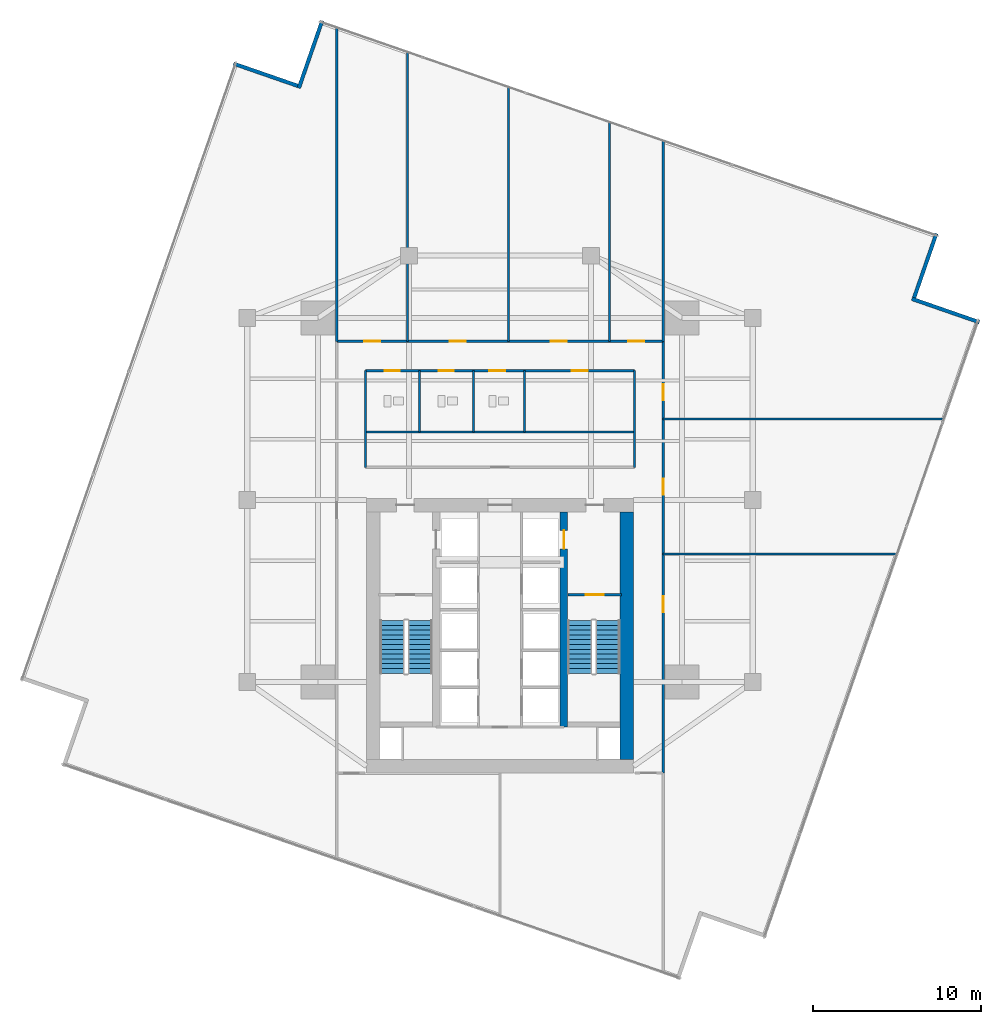
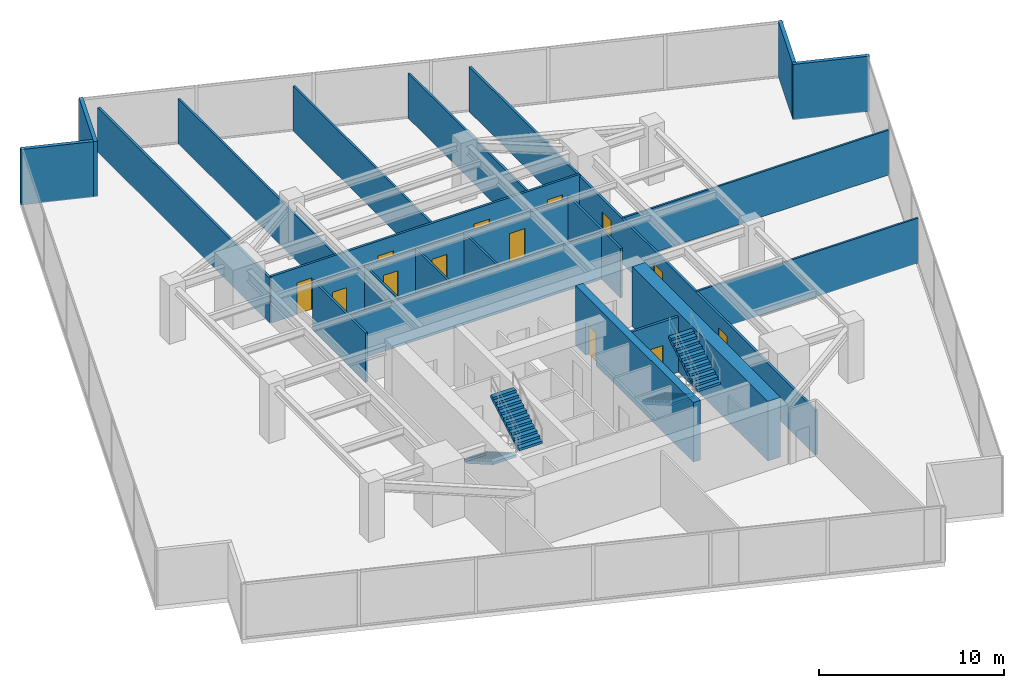
# One storey, part 24 of 28: 23 walls, 13 doors, 4 stair flights, 13 openings, 2 elements without a shape of their own.
"""IFC4 building model written with IfcOpenShell, lengths in metres."""

from ifc_helpers import new_model, si_unit, direction, frame, frame_2d, origin, place, context, subcontext, project, spatial, polyline, rectangle, outline, extrude, material, layer, layer_set, type_object, element, fill, aggregate, save


model = new_model("IFC4")

# Units and contexts
model_context = context("Model", 3, precision=1e-05, world=origin(), true_north=direction((0.0, 1.0)))
body_context = subcontext(model_context, "Body", "Model", "MODEL_VIEW")
ifc_project = project(units=[si_unit("LENGTHUNIT", "METRE"), si_unit("AREAUNIT", "SQUARE_METRE"), si_unit("VOLUMEUNIT", "CUBIC_METRE"), si_unit("PLANEANGLEUNIT", "RADIAN"), si_unit("MASSUNIT", "GRAM", prefix="KILO")], contexts=[model_context])

# Site, building, storey
site_placement = place(None, origin())
site = spatial("IfcSite", under=ifc_project, at=site_placement, CompositionType="ELEMENT")
building_placement = place(site_placement, origin())
building = spatial("IfcBuilding", under=site, at=building_placement, Name="Krantzveldt Concourse Tower", CompositionType="ELEMENT")
storey_placement = place(building_placement, frame((0.0, 0.0, 117.699951171875)))
storey = spatial("IfcBuildingStorey", under=building, at=storey_placement, Name="L28", CompositionType="ELEMENT", Elevation=117.699951171875)

# Walls
ifc_material_1 = material(Name="Anodised aluminium 6063-T6", Category="aluminium")
ifc_layer_1 = layer(ifc_material_1, 0.219970703125, Name="Anodised aluminium 6063-T6", Category="aluminium")
ifc_layer_set_1 = layer_set([ifc_layer_1], Name="Anodised aluminium 6063-T6 (WL-EXT-NOTCH220)")
wall_type_1 = type_object("IfcWallType", Name="WL-EXT-NOTCH220", PredefinedType="ELEMENTEDWALL", material=ifc_layer_set_1)
wall_1_placement = place(storey_placement, frame((23.99072265625, 51.28125, 0.0), z_axis=(0.0, 0.0, 1.0), x_axis=(-0.944792639593, 0.327668839181, 0.0)))
element("IfcWall", 1, at=wall_1_placement, inside=storey, type_object=wall_type_1, Name="EW-L28-NCH00", PredefinedType="ELEMENTEDWALL", context=body_context, shape_type="SweptSolid", body=[
    extrude(rectangle(XDim=4.02490234375, YDim=0.219970703125, at=frame_2d((2.012451171875, 0.0))), origin(), (0.0, 0.0, 1.0), 3.670166015625),
])
wall_2_placement = place(storey_placement, frame((64.4521484375, 37.25048828125, 0.0), z_axis=(0.0, 0.0, 1.0), x_axis=(-0.944801308279, 0.327643843028, 0.0)))
element("IfcWall", 2, at=wall_2_placement, inside=storey, type_object=wall_type_1, Name="EW-L28-NCH08", PredefinedType="ELEMENTEDWALL", context=body_context, shape_type="SweptSolid", body=[
    extrude(rectangle(XDim=4.2451171875, YDim=0.219970703125, at=frame_2d((2.12255859375, 0.0))), origin(), (0.0, 0.0, 1.0), 3.670166015625),
])
wall_3_placement = place(storey_placement, frame((60.581298828125, 38.709228515625, 0.0), z_axis=(0.0, 0.0, 1.0), x_axis=(0.327650062068, 0.94479915158, 0.0)))
element("IfcWall", 3, at=wall_3_placement, inside=storey, type_object=wall_type_1, Name="EW-L28-NCH09", PredefinedType="ELEMENTEDWALL", context=body_context, shape_type="SweptSolid", body=[
    extrude(rectangle(XDim=4.025146484375, YDim=0.219970703125, at=frame_2d((2.0126953125, 0.0))), origin(), (0.0, 0.0, 1.0), 3.670166015625),
])
wall_4_placement = place(storey_placement, frame((25.449462890625, 55.152099609375, 0.0), z_axis=(0.0, 0.0, 1.0), x_axis=(-0.327643843028, -0.944801308279, 0.0)))
element("IfcWall", 4, at=wall_4_placement, inside=storey, type_object=wall_type_1, Name="EW-L28-NCH11", PredefinedType="ELEMENTEDWALL", context=body_context, shape_type="SweptSolid", body=[
    extrude(rectangle(XDim=4.2451171875, YDim=0.219970703125, at=frame_2d((2.12255859375, 0.0))), origin(), (0.0, 0.0, 1.0), 3.670166015625),
])
ifc_material_2 = material(Name="Fire-rated gypsum plasterboard on steel stud", Category="steel")
ifc_layer_2 = layer(ifc_material_2, 0.1201171875, Name="Fire-rated gypsum plasterboard on steel stud", Category="steel")
ifc_layer_set_2 = layer_set([ifc_layer_2], Name="Fire-rated gypsum plasterboard on steel stud (WL-PART-120)")
wall_type_2 = type_object("IfcWallType", Name="WL-PART-120", PredefinedType="PARTITIONING", material=ifc_layer_set_2)
wall_5_placement = place(storey_placement, frame((28.02001953125, 30.739990234375, 0.0), z_axis=(0.0, 0.0, 1.0), x_axis=(1.0, 0.0, 0.0)))
element("IfcWall", 5, at=wall_5_placement, inside=storey, type_object=wall_type_2, Name="WP-L28-ISLM", PredefinedType="PARTITIONING", context=body_context, shape_type="SweptSolid", body=[
    extrude(rectangle(XDim=15.9599609375, YDim=0.1201171875, at=frame_2d((7.97998046875, 0.0))), origin(), (0.0, 0.0, 1.0), 3.080078125),
])
for number, where, z_axis, x_axis, name in (
    (6, (31.219970703125, 30.739990234375, 0.0), (0.0, 0.0, 1.0), (0.0, 1.0, 0.0), "WP-L28-WCD1"),
    (7, (34.419921875, 30.739990234375, 0.0), (0.0, 0.0, 1.0), (0.0, 1.0, 0.0), "WP-L28-WCD2"),
    (8, (37.449951171875, 30.739990234375, 0.0), (0.0, 0.0, 1.0), (0.0, 1.0, 0.0), "WP-L28-WCD3"),
):
    element("IfcWall", number, at=place(storey_placement, frame(where, z_axis=z_axis, x_axis=x_axis)), inside=storey, type_object=wall_type_2, Name=name, PredefinedType="PARTITIONING", context=body_context, shape_type="SweptSolid", body=[
        extrude(rectangle(XDim=3.639892578125, YDim=0.1201171875, at=frame_2d((1.81982421875, 0.0))), origin(), (0.0, 0.0, 1.0), 3.170166015625),
    ])
wall_6_placement = place(storey_placement, frame((30.5, 36.1201171875, 0.0), z_axis=(0.0, 0.0, 1.0), x_axis=(0.0, 1.0, 0.0)))
element("IfcWall", 9, at=wall_6_placement, inside=storey, type_object=wall_type_2, Name="WP-L28-ND1", PredefinedType="PARTITIONING", context=body_context, shape_type="SweptSolid", body=[
    extrude(rectangle(XDim=17.158935546875, YDim=0.1201171875, at=frame_2d((8.57958984375, 0.0))), origin(), (0.0, 0.0, 1.0), 2.969970703125),
])
wall_7_placement = place(storey_placement, frame((36.5, 36.1201171875, 0.0), z_axis=(0.0, 0.0, 1.0), x_axis=(0.0, 1.0, 0.0)))
element("IfcWall", 10, at=wall_7_placement, inside=storey, type_object=wall_type_2, Name="WP-L28-ND2", PredefinedType="PARTITIONING", context=body_context, shape_type="SweptSolid", body=[
    extrude(rectangle(XDim=15.078125, YDim=0.1201171875, at=frame_2d((7.5390625, 0.0))), origin(), (0.0, 0.0, 1.0), 2.969970703125),
])
wall_8_placement = place(storey_placement, frame((42.5, 36.1201171875, 0.0), z_axis=(0.0, 0.0, 1.0), x_axis=(0.0, 1.0, 0.0)))
element("IfcWall", 11, at=wall_8_placement, inside=storey, type_object=wall_type_2, Name="WP-L28-ND3", PredefinedType="PARTITIONING", context=body_context, shape_type="SweptSolid", body=[
    extrude(rectangle(XDim=12.99755859375, YDim=0.1201171875, at=frame_2d((6.498779296875, 0.0))), origin(), (0.0, 0.0, 1.0), 2.969970703125),
])
wall_9_placement = place(storey_placement, frame((45.679931640625, 23.5, 0.0), z_axis=(0.0, 0.0, 1.0), x_axis=(1.0, 0.0, 0.0)))
element("IfcWall", 12, at=wall_9_placement, inside=storey, type_object=wall_type_2, Name="WP-L28-ED1", PredefinedType="PARTITIONING", context=body_context, shape_type="SweptSolid", body=[
    extrude(rectangle(XDim=13.882080078125, YDim=0.1201171875, at=frame_2d((6.94091796875, 0.0))), origin(), (0.0, 0.0, 1.0), 2.969970703125),
])
wall_10_placement = place(storey_placement, frame((45.679931640625, 31.5, 0.0), z_axis=(0.0, 0.0, 1.0), x_axis=(1.0, 0.0, 0.0)))
element("IfcWall", 13, at=wall_10_placement, inside=storey, type_object=wall_type_2, Name="WP-L28-ED2", PredefinedType="PARTITIONING", context=body_context, shape_type="SweptSolid", body=[
    extrude(rectangle(XDim=16.65625, YDim=0.1201171875, at=frame_2d((8.328125, 0.0))), origin(), (0.0, 0.0, 1.0), 2.969970703125),
])

# Wall, openings, doors
ifc_layer_3 = layer(ifc_material_2, 0.139892578125, Name="Fire-rated gypsum plasterboard on steel stud", Category="steel")
ifc_layer_set_3 = layer_set([ifc_layer_3], Name="Fire-rated gypsum plasterboard on steel stud (WL-PART-140)")
wall_type_3 = type_object("IfcWallType", Name="WL-PART-140", PredefinedType="PARTITIONING", material=ifc_layer_set_3)
wall_11_placement = place(storey_placement, frame((28.02001953125, 34.3798828125, 0.0), z_axis=(0.0, 0.0, 1.0), x_axis=(1.0, 0.0, 0.0)))
wall_11 = element("IfcWall", 14, at=wall_11_placement, inside=storey, type_object=wall_type_3, Name="WP-L28-ISLN", PredefinedType="PARTITIONING", context=body_context, shape_type="SweptSolid", body=[
    extrude(rectangle(XDim=15.9599609375, YDim=0.139892578125, at=frame_2d((7.97998046875, 0.0))), origin(), (0.0, 0.0, 1.0), 3.080078125),
])
opening_1_placement = place(wall_11_placement, frame((1.1298828125, 0.0, 0.0)))
opening_1 = element("IfcOpeningElement", 15, at=opening_1_placement, cuts=wall_11, Name="Opening D-IN090", PredefinedType="OPENING", context=body_context, shape_type="SweptSolid", body=[
    extrude(rectangle(XDim=0.89990234375, YDim=2.10009765625, at=frame_2d((0.449951171875, 1.050048828125))), frame((0.0, 0.080078125, 0.0), z_axis=(0.0, -1.0, 0.0), x_axis=(1.0, 0.0, 0.0)), (0.0, 0.0, 1.0), 0.159912109375),
])
opening_2_placement = place(wall_11_placement, frame((4.330078125, 0.0, 0.0)))
opening_2 = element("IfcOpeningElement", 16, at=opening_2_placement, cuts=wall_11, Name="Opening D-IN090", PredefinedType="OPENING", context=body_context, shape_type="SweptSolid", body=[
    extrude(rectangle(XDim=0.89990234375, YDim=2.10009765625, at=frame_2d((0.449951171875, 1.050048828125))), frame((0.0, 0.080078125, 0.0), z_axis=(0.0, -1.0, 0.0), x_axis=(1.0, 0.0, 0.0)), (0.0, 0.0, 1.0), 0.159912109375),
])
opening_3_placement = place(wall_11_placement, frame((7.35498046875, 0.0, 0.0)))
opening_3 = element("IfcOpeningElement", 17, at=opening_3_placement, cuts=wall_11, Name="Opening D-IN095", PredefinedType="OPENING", context=body_context, shape_type="SweptSolid", body=[
    extrude(rectangle(XDim=0.949951171875, YDim=2.10009765625, at=frame_2d((0.47509765625, 1.050048828125))), frame((0.0, 0.080078125, 0.0), z_axis=(0.0, -1.0, 0.0), x_axis=(1.0, 0.0, 0.0)), (0.0, 0.0, 1.0), 0.159912109375),
])
opening_4_placement = place(wall_11_placement, frame((12.22998046875, 0.0, 0.0)))
opening_4 = element("IfcOpeningElement", 18, at=opening_4_placement, cuts=wall_11, Name="Opening D-IN095", PredefinedType="OPENING", context=body_context, shape_type="SweptSolid", body=[
    extrude(rectangle(XDim=0.949951171875, YDim=2.10009765625, at=frame_2d((0.47509765625, 1.050048828125))), frame((0.0, 0.080078125, 0.0), z_axis=(0.0, -1.0, 0.0), x_axis=(1.0, 0.0, 0.0)), (0.0, 0.0, 1.0), 0.159912109375),
])
ifc_material_3 = material(Name="Hardwood timber", Category="wood")
door_type_1 = type_object("IfcDoorType", Name="DR-INT-900", OperationType="SINGLE_SWING_LEFT", PredefinedType="DOOR", material=ifc_material_3)
door_1_placement = place(opening_1_placement, origin())
door_1 = element("IfcDoor", 19, at=door_1_placement, inside=storey, type_object=door_type_1, Name="DR-L28-WCM", OperationType="SINGLE_SWING_LEFT", OverallHeight=2.10009765625, OverallWidth=0.89990234375, PredefinedType="DOOR", context=body_context, shape_type="SweptSolid", body=[
    extrude(rectangle(XDim=0.89990234375, YDim=2.10009765625, at=frame_2d((0.449951171875, 1.050048828125))), frame((0.0, 0.02490234375, 0.0), z_axis=(0.0, -1.0, 0.0), x_axis=(1.0, 0.0, 0.0)), (0.0, 0.0, 1.0), 0.050048828125),
])
fill(opening_1, door_1)
door_2_placement = place(opening_2_placement, origin())
door_2 = element("IfcDoor", 20, at=door_2_placement, inside=storey, type_object=door_type_1, Name="DR-L28-WCF", OperationType="SINGLE_SWING_RIGHT", OverallHeight=2.10009765625, OverallWidth=0.89990234375, PredefinedType="DOOR", context=body_context, shape_type="SweptSolid", body=[
    extrude(rectangle(XDim=0.89990234375, YDim=2.10009765625, at=frame_2d((0.449951171875, 1.050048828125))), frame((0.0, 0.02490234375, 0.0), z_axis=(0.0, -1.0, 0.0), x_axis=(1.0, 0.0, 0.0)), (0.0, 0.0, 1.0), 0.050048828125),
])
fill(opening_2, door_2)
door_type_2 = type_object("IfcDoorType", Name="DR-INT-950", OperationType="SINGLE_SWING_LEFT", PredefinedType="DOOR", material=ifc_material_3)
door_3_placement = place(opening_3_placement, origin())
door_3 = element("IfcDoor", 21, at=door_3_placement, inside=storey, type_object=door_type_2, Name="DR-L28-WCA", OperationType="SINGLE_SWING_LEFT", OverallHeight=2.10009765625, OverallWidth=0.949951171875, PredefinedType="DOOR", context=body_context, shape_type="SweptSolid", body=[
    extrude(rectangle(XDim=0.949951171875, YDim=2.10009765625, at=frame_2d((0.47509765625, 1.050048828125))), frame((0.0, 0.02490234375, 0.0), z_axis=(0.0, -1.0, 0.0), x_axis=(1.0, 0.0, 0.0)), (0.0, 0.0, 1.0), 0.050048828125),
])
fill(opening_3, door_3)
door_4_placement = place(opening_4_placement, origin())
door_4 = element("IfcDoor", 22, at=door_4_placement, inside=storey, type_object=door_type_2, Name="DR-L28-PNT", OperationType="SINGLE_SWING_RIGHT", OverallHeight=2.10009765625, OverallWidth=0.949951171875, PredefinedType="DOOR", context=body_context, shape_type="SweptSolid", body=[
    extrude(rectangle(XDim=0.949951171875, YDim=2.10009765625, at=frame_2d((0.47509765625, 1.050048828125))), frame((0.0, 0.02490234375, 0.0), z_axis=(0.0, -1.0, 0.0), x_axis=(1.0, 0.0, 0.0)), (0.0, 0.0, 1.0), 0.050048828125),
])
fill(opening_4, door_4)

# Walls
for number, where, z_axis, x_axis, name in (
    (23, (28.02001953125, 28.639892578125, 0.0), (0.0, 0.0, 1.0), (0.0, 1.0, 0.0), "WP-L28-ISLW"),
    (24, (43.97998046875, 28.639892578125, 0.0), (0.0, 0.0, 1.0), (0.0, 1.0, 0.0), "WP-L28-ISLE"),
):
    element("IfcWall", number, at=place(storey_placement, frame(where, z_axis=z_axis, x_axis=x_axis)), inside=storey, type_object=wall_type_3, Name=name, PredefinedType="PARTITIONING", context=body_context, shape_type="SweptSolid", body=[
        extrude(rectangle(XDim=5.739990234375, YDim=0.139892578125, at=frame_2d((2.8701171875, 0.0))), origin(), (0.0, 0.0, 1.0), 3.27001953125),
    ])

# Wall, openings, doors
wall_12_placement = place(storey_placement, frame((26.320068359375, 36.1201171875, 0.0), z_axis=(0.0, 0.0, 1.0), x_axis=(1.0, 0.0, 0.0)))
wall_12 = element("IfcWall", 25, at=wall_12_placement, inside=storey, type_object=wall_type_3, Name="WP-L28-CTOP", PredefinedType="PARTITIONING", context=body_context, shape_type="SweptSolid", body=[
    extrude(rectangle(XDim=19.35986328125, YDim=0.139892578125, at=frame_2d((9.679931640625, 0.0))), origin(), (0.0, 0.0, 1.0), 3.080078125),
])
opening_5_placement = place(wall_12_placement, frame((1.614990234375, 0.0, 0.0)))
opening_5 = element("IfcOpeningElement", 26, at=opening_5_placement, cuts=wall_12, Name="Opening D-IN095", PredefinedType="OPENING", context=body_context, shape_type="SweptSolid", body=[
    extrude(rectangle(XDim=0.949951171875, YDim=2.10009765625, at=frame_2d((0.47509765625, 1.050048828125))), frame((0.0, 0.080078125, 0.0), z_axis=(0.0, -1.0, 0.0), x_axis=(1.0, 0.0, 0.0)), (0.0, 0.0, 1.0), 0.159912109375),
])
opening_6_placement = place(wall_12_placement, frame((6.705078125, 0.0, 0.0)))
opening_6 = element("IfcOpeningElement", 27, at=opening_6_placement, cuts=wall_12, Name="Opening D-IN095", PredefinedType="OPENING", context=body_context, shape_type="SweptSolid", body=[
    extrude(rectangle(XDim=0.949951171875, YDim=2.10009765625, at=frame_2d((0.47509765625, 1.050048828125))), frame((0.0, 0.080078125, 0.0), z_axis=(0.0, -1.0, 0.0), x_axis=(1.0, 0.0, 0.0)), (0.0, 0.0, 1.0), 0.159912109375),
])
opening_7_placement = place(wall_12_placement, frame((12.705078125, 0.0, 0.0)))
opening_7 = element("IfcOpeningElement", 28, at=opening_7_placement, cuts=wall_12, Name="Opening D-IN095", PredefinedType="OPENING", context=body_context, shape_type="SweptSolid", body=[
    extrude(rectangle(XDim=0.949951171875, YDim=2.10009765625, at=frame_2d((0.47509765625, 1.050048828125))), frame((0.0, 0.080078125, 0.0), z_axis=(0.0, -1.0, 0.0), x_axis=(1.0, 0.0, 0.0)), (0.0, 0.0, 1.0), 0.159912109375),
])
opening_8_placement = place(wall_12_placement, frame((17.294921875, 0.0, 0.0)))
opening_8 = element("IfcOpeningElement", 29, at=opening_8_placement, cuts=wall_12, Name="Opening D-IN095", PredefinedType="OPENING", context=body_context, shape_type="SweptSolid", body=[
    extrude(rectangle(XDim=0.949951171875, YDim=2.10009765625, at=frame_2d((0.47509765625, 1.050048828125))), frame((0.0, 0.080078125, 0.0), z_axis=(0.0, -1.0, 0.0), x_axis=(1.0, 0.0, 0.0)), (0.0, 0.0, 1.0), 0.159912109375),
])
door_5_placement = place(opening_5_placement, origin())
door_5 = element("IfcDoor", 30, at=door_5_placement, inside=storey, type_object=door_type_2, Name="DR-L28-NR1", OperationType="SINGLE_SWING_LEFT", OverallHeight=2.10009765625, OverallWidth=0.949951171875, PredefinedType="DOOR", context=body_context, shape_type="SweptSolid", body=[
    extrude(rectangle(XDim=0.949951171875, YDim=2.10009765625, at=frame_2d((0.47509765625, 1.050048828125))), frame((0.0, 0.02490234375, 0.0), z_axis=(0.0, -1.0, 0.0), x_axis=(1.0, 0.0, 0.0)), (0.0, 0.0, 1.0), 0.050048828125),
])
fill(opening_5, door_5)
door_6_placement = place(opening_6_placement, origin())
door_6 = element("IfcDoor", 31, at=door_6_placement, inside=storey, type_object=door_type_2, Name="DR-L28-NR2", OperationType="SINGLE_SWING_LEFT", OverallHeight=2.10009765625, OverallWidth=0.949951171875, PredefinedType="DOOR", context=body_context, shape_type="SweptSolid", body=[
    extrude(rectangle(XDim=0.949951171875, YDim=2.10009765625, at=frame_2d((0.47509765625, 1.050048828125))), frame((0.0, 0.02490234375, 0.0), z_axis=(0.0, -1.0, 0.0), x_axis=(1.0, 0.0, 0.0)), (0.0, 0.0, 1.0), 0.050048828125),
])
fill(opening_6, door_6)
door_7_placement = place(opening_7_placement, origin())
door_7 = element("IfcDoor", 32, at=door_7_placement, inside=storey, type_object=door_type_2, Name="DR-L28-NR3", OperationType="SINGLE_SWING_LEFT", OverallHeight=2.10009765625, OverallWidth=0.949951171875, PredefinedType="DOOR", context=body_context, shape_type="SweptSolid", body=[
    extrude(rectangle(XDim=0.949951171875, YDim=2.10009765625, at=frame_2d((0.47509765625, 1.050048828125))), frame((0.0, 0.02490234375, 0.0), z_axis=(0.0, -1.0, 0.0), x_axis=(1.0, 0.0, 0.0)), (0.0, 0.0, 1.0), 0.050048828125),
])
fill(opening_7, door_7)
door_8_placement = place(opening_8_placement, origin())
door_8 = element("IfcDoor", 33, at=door_8_placement, inside=storey, type_object=door_type_2, Name="DR-L28-NR4", OperationType="SINGLE_SWING_LEFT", OverallHeight=2.10009765625, OverallWidth=0.949951171875, PredefinedType="DOOR", context=body_context, shape_type="SweptSolid", body=[
    extrude(rectangle(XDim=0.949951171875, YDim=2.10009765625, at=frame_2d((0.47509765625, 1.050048828125))), frame((0.0, 0.02490234375, 0.0), z_axis=(0.0, -1.0, 0.0), x_axis=(1.0, 0.0, 0.0)), (0.0, 0.0, 1.0), 0.050048828125),
])
fill(opening_8, door_8)

wall_13_placement = place(storey_placement, frame((45.679931640625, 10.5, 0.0), z_axis=(0.0, 0.0, 1.0), x_axis=(0.0, 1.0, 0.0)))
wall_13 = element("IfcWall", 34, at=wall_13_placement, inside=storey, type_object=wall_type_3, Name="WP-L28-CEAST", PredefinedType="PARTITIONING", context=body_context, shape_type="SweptSolid", body=[
    extrude(rectangle(XDim=25.6201171875, YDim=0.139892578125, at=frame_2d((12.81005859375, 0.0))), origin(), (0.0, 0.0, 1.0), 2.969970703125),
])
opening_9_placement = place(wall_13_placement, frame((9.52490234375, 0.0, 0.0)))
opening_9 = element("IfcOpeningElement", 35, at=opening_9_placement, cuts=wall_13, Name="Opening D-IN095", PredefinedType="OPENING", context=body_context, shape_type="SweptSolid", body=[
    extrude(rectangle(XDim=0.949951171875, YDim=2.10009765625, at=frame_2d((0.47509765625, 1.050048828125))), frame((0.0, 0.080078125, 0.0), z_axis=(0.0, -1.0, 0.0), x_axis=(1.0, 0.0, 0.0)), (0.0, 0.0, 1.0), 0.159912109375),
])
opening_10_placement = place(wall_13_placement, frame((16.52490234375, 0.0, 0.0)))
opening_10 = element("IfcOpeningElement", 36, at=opening_10_placement, cuts=wall_13, Name="Opening D-IN095", PredefinedType="OPENING", context=body_context, shape_type="SweptSolid", body=[
    extrude(rectangle(XDim=0.949951171875, YDim=2.10009765625, at=frame_2d((0.47509765625, 1.050048828125))), frame((0.0, 0.080078125, 0.0), z_axis=(0.0, -1.0, 0.0), x_axis=(1.0, 0.0, 0.0)), (0.0, 0.0, 1.0), 0.159912109375),
])
opening_11_placement = place(wall_13_placement, frame((22.125, 0.0, 0.0)))
opening_11 = element("IfcOpeningElement", 37, at=opening_11_placement, cuts=wall_13, Name="Opening D-IN095", PredefinedType="OPENING", context=body_context, shape_type="SweptSolid", body=[
    extrude(rectangle(XDim=0.949951171875, YDim=2.10009765625, at=frame_2d((0.47509765625, 1.050048828125))), frame((0.0, 0.080078125, 0.0), z_axis=(0.0, -1.0, 0.0), x_axis=(1.0, 0.0, 0.0)), (0.0, 0.0, 1.0), 0.159912109375),
])
door_9_placement = place(opening_9_placement, origin())
door_9 = element("IfcDoor", 38, at=door_9_placement, inside=storey, type_object=door_type_2, Name="DR-L28-ER1", OperationType="SINGLE_SWING_LEFT", OverallHeight=2.10009765625, OverallWidth=0.949951171875, PredefinedType="DOOR", context=body_context, shape_type="SweptSolid", body=[
    extrude(rectangle(XDim=0.949951171875, YDim=2.10009765625, at=frame_2d((0.47509765625, 1.050048828125))), frame((0.0, 0.02490234375, 0.0), z_axis=(0.0, -1.0, 0.0), x_axis=(1.0, 0.0, 0.0)), (0.0, 0.0, 1.0), 0.050048828125),
])
fill(opening_9, door_9)
door_10_placement = place(opening_10_placement, origin())
door_10 = element("IfcDoor", 39, at=door_10_placement, inside=storey, type_object=door_type_2, Name="DR-L28-ER2", OperationType="SINGLE_SWING_LEFT", OverallHeight=2.10009765625, OverallWidth=0.949951171875, PredefinedType="DOOR", context=body_context, shape_type="SweptSolid", body=[
    extrude(rectangle(XDim=0.949951171875, YDim=2.10009765625, at=frame_2d((0.47509765625, 1.050048828125))), frame((0.0, 0.02490234375, 0.0), z_axis=(0.0, -1.0, 0.0), x_axis=(1.0, 0.0, 0.0)), (0.0, 0.0, 1.0), 0.050048828125),
])
fill(opening_10, door_10)
door_11_placement = place(opening_11_placement, origin())
door_11 = element("IfcDoor", 40, at=door_11_placement, inside=storey, type_object=door_type_2, Name="DR-L28-ER3", OperationType="SINGLE_SWING_LEFT", OverallHeight=2.10009765625, OverallWidth=0.949951171875, PredefinedType="DOOR", context=body_context, shape_type="SweptSolid", body=[
    extrude(rectangle(XDim=0.949951171875, YDim=2.10009765625, at=frame_2d((0.47509765625, 1.050048828125))), frame((0.0, 0.02490234375, 0.0), z_axis=(0.0, -1.0, 0.0), x_axis=(1.0, 0.0, 0.0)), (0.0, 0.0, 1.0), 0.050048828125),
])
fill(opening_11, door_11)

# Walls
wall_14_placement = place(storey_placement, frame((26.320068359375, 36.1201171875, 0.0), z_axis=(0.0, 0.0, 1.0), x_axis=(0.0, 1.0, 0.0)))
element("IfcWall", 41, at=wall_14_placement, inside=storey, type_object=wall_type_3, Name="WP-L28-NWL", PredefinedType="PARTITIONING", context=body_context, shape_type="SweptSolid", body=[
    extrude(rectangle(XDim=18.6083984375, YDim=0.139892578125, at=frame_2d((9.30419921875, 0.0))), origin(), (0.0, 0.0, 1.0), 2.969970703125),
])
wall_15_placement = place(storey_placement, frame((45.679931640625, 36.1201171875, 0.0), z_axis=(0.0, 0.0, 1.0), x_axis=(0.0, 1.0, 0.0)))
element("IfcWall", 42, at=wall_15_placement, inside=storey, type_object=wall_type_3, Name="WP-L28-NER", PredefinedType="PARTITIONING", context=body_context, shape_type="SweptSolid", body=[
    extrude(rectangle(XDim=11.894775390625, YDim=0.139892578125, at=frame_2d((5.947265625, 0.0))), origin(), (0.0, 0.0, 1.0), 2.969970703125),
])

# Wall, opening, door
ifc_layer_4 = layer(ifc_material_2, 0.159912109375, Name="Fire-rated gypsum plasterboard on steel stud", Category="steel")
ifc_layer_set_4 = layer_set([ifc_layer_4], Name="Fire-rated gypsum plasterboard on steel stud (WL-PART-FR160)")
wall_type_4 = type_object("IfcWallType", Name="WL-PART-FR160", PredefinedType="PARTITIONING", material=ifc_layer_set_4)
wall_16_placement = place(storey_placement, frame((40.0400390625, 21.080078125, 0.0), z_axis=(0.0, 0.0, 1.0), x_axis=(1.0, 0.0, 0.0)))
wall_16 = element("IfcWall", 43, at=wall_16_placement, inside=storey, type_object=wall_type_4, Name="WP-L28-ST2", PredefinedType="PARTITIONING", context=body_context, shape_type="SweptSolid", body=[
    extrude(rectangle(XDim=3.159912109375, YDim=0.159912109375, at=frame_2d((1.580078125, 0.0))), origin(), (0.0, 0.0, 1.0), 3.670166015625),
])
opening_12_placement = place(wall_16_placement, frame((1.054931640625, 0.0, 0.0)))
opening_12 = element("IfcOpeningElement", 44, at=opening_12_placement, cuts=wall_16, Name="Opening D-FD105", PredefinedType="OPENING", context=body_context, shape_type="SweptSolid", body=[
    extrude(rectangle(XDim=1.050048828125, YDim=2.10009765625, at=frame_2d((0.52490234375, 1.050048828125))), frame((0.0, 0.08984375, 0.0), z_axis=(0.0, -1.0, 0.0), x_axis=(1.0, 0.0, 0.0)), (0.0, 0.0, 1.0), 0.179931640625),
])
ifc_material_4 = material(Name="Galvanised steel", Category="steel")
door_type_3 = type_object("IfcDoorType", Name="DR-FD120-1050", OperationType="SINGLE_SWING_LEFT", PredefinedType="DOOR", material=ifc_material_4)
door_12_placement = place(opening_12_placement, origin())
door_12 = element("IfcDoor", 45, at=door_12_placement, inside=storey, type_object=door_type_3, Name="DR-L28-ST2", OperationType="SINGLE_SWING_LEFT", OverallHeight=2.10009765625, OverallWidth=1.050048828125, PredefinedType="DOOR", context=body_context, shape_type="SweptSolid", body=[
    extrude(rectangle(XDim=1.050048828125, YDim=2.10009765625, at=frame_2d((0.52490234375, 1.050048828125))), frame((0.0, 0.02490234375, 0.0), z_axis=(0.0, -1.0, 0.0), x_axis=(1.0, 0.0, 0.0)), (0.0, 0.0, 1.0), 0.050048828125),
])
fill(opening_12, door_12)

ifc_material_5 = material(Name="Concrete C50/60", Category="concrete")
ifc_layer_5 = layer(ifc_material_5, 0.449951171875, Name="Concrete C50/60", Category="concrete")
ifc_layer_set_5 = layer_set([ifc_layer_5], Name="Concrete C50/60 (WL-SHEAR-450)")
wall_type_5 = type_object("IfcWallType", Name="WL-SHEAR-450", PredefinedType="SHEAR", material=ifc_layer_set_5)
wall_17_placement = place(storey_placement, frame((39.794921875, 13.219970703125, 0.0), z_axis=(0.0, 0.0, 1.0), x_axis=(0.0, 1.0, 0.0)))
wall_17 = element("IfcWall", 46, at=wall_17_placement, inside=storey, type_object=wall_type_5, Name="CW-L28-IE", PredefinedType="SHEAR", context=body_context, shape_type="SweptSolid", body=[
    extrude(rectangle(XDim=12.780029296875, YDim=0.449951171875, at=frame_2d((6.39013671875, 0.0))), origin(), (0.0, 0.0, 1.0), 3.949951171875),
])
opening_13_placement = place(wall_17_placement, frame((10.580078125, 0.0, 0.0)))
opening_13 = element("IfcOpeningElement", 47, at=opening_13_placement, cuts=wall_17, Name="Opening LD", PredefinedType="OPENING", context=body_context, shape_type="SweptSolid", body=[
    extrude(rectangle(XDim=1.10009765625, YDim=2.14990234375, at=frame_2d((0.550048828125, 1.074951171875))), frame((0.0, 0.23486328125, 0.0), z_axis=(0.0, -1.0, 0.0), x_axis=(1.0, 0.0, 0.0)), (0.0, 0.0, 1.0), 0.469970703125),
])
ifc_material_6 = material(Name="Stainless steel 316L", Category="steel")
door_type_4 = type_object("IfcDoorType", Name="DR-SLIDE-LD1100", OperationType="DOUBLE_DOOR_SLIDING", PredefinedType="DOOR", material=ifc_material_6)
door_13_placement = place(opening_13_placement, origin())
door_13 = element("IfcDoor", 48, at=door_13_placement, inside=storey, type_object=door_type_4, Name="LD-L28-FL2", OperationType="DOUBLE_DOOR_SLIDING", OverallHeight=2.14990234375, OverallWidth=1.10009765625, PredefinedType="DOOR", context=body_context, shape_type="SweptSolid", body=[
    extrude(rectangle(XDim=1.10009765625, YDim=2.14990234375, at=frame_2d((0.550048828125, 1.074951171875))), frame((0.0, 0.02490234375, 0.0), z_axis=(0.0, -1.0, 0.0), x_axis=(1.0, 0.0, 0.0)), (0.0, 0.0, 1.0), 0.050048828125),
])
fill(opening_13, door_13)

# Wall
ifc_material_7 = material(Name="Concrete C60/75", Category="concrete")
ifc_layer_6 = layer(ifc_material_7, 0.800048828125, Name="Concrete C60/75", Category="concrete")
ifc_layer_set_6 = layer_set([ifc_layer_6], Name="Concrete C60/75 (WL-SHEAR-800)")
wall_type_6 = type_object("IfcWallType", Name="WL-SHEAR-800", PredefinedType="SHEAR", material=ifc_layer_set_6)
wall_18_placement = place(storey_placement, frame((43.52001953125, 11.300048828125, 0.0), z_axis=(0.0, 0.0, 1.0), x_axis=(0.0, 1.0, 0.0)))
element("IfcWall", 49, at=wall_18_placement, inside=storey, type_object=wall_type_6, Name="CW-L28-E", PredefinedType="SHEAR", context=body_context, shape_type="SweptSolid", body=[
    extrude(rectangle(XDim=14.699951171875, YDim=0.800048828125, at=frame_2d((7.35009765625, 0.0))), origin(), (0.0, 0.0, 1.0), 3.949951171875),
])

# Stair, stair flights
ifc_material_8 = material(Name="Precast concrete C40/50", Category="concrete")
stair_type = type_object("IfcStairType", Name="STR-CORE-DOGLEG", PredefinedType="HALF_TURN_STAIR", material=ifc_material_8)
stair_1_placement = place(storey_placement, origin())
stair_1 = element("IfcStair", 50, at=stair_1_placement, inside=storey, type_object=stair_type, Name="L28 Protected Escape Stair ST-1", PredefinedType="HALF_TURN_STAIR")
stair_flight_type = type_object("IfcStairFlightType", Name="STF-CORE-1450", PredefinedType="STRAIGHT", material=ifc_material_8)
stair_flight_1_placement = place(storey_placement, frame((29.60498046875, 19.550048828125, 0.0), z_axis=(0.0, 0.0, 1.0), x_axis=(0.0, -1.0, 0.0)))
stair_flight_1 = element("IfcStairFlight", 51, at=stair_flight_1_placement, type_object=stair_flight_type, Name="ST-1 flight 1", NumberOfRisers=12, NumberOfTreads=11, PredefinedType="STRAIGHT", RiserHeight=0.164583333, TreadLength=0.285, context=body_context, shape_type="SweptSolid", body=[
    extrude(outline(polyline([(0.0, 0.0), (0.0, 0.16455078125), (0.284912109375, 0.16455078125), (0.284912109375, 0.3291015625), (0.570068359375, 0.3291015625), (0.570068359375, 0.49365234375), (0.85498046875, 0.49365234375), (0.85498046875, 0.658447265625), (1.139892578125, 0.658447265625), (1.139892578125, 0.822998046875), (1.425048828125, 0.822998046875), (1.425048828125, 0.987548828125), (1.7099609375, 0.987548828125), (1.7099609375, 1.152099609375), (1.9951171875, 1.152099609375), (1.9951171875, 1.316650390625), (2.280029296875, 1.316650390625), (2.280029296875, 1.481201171875), (2.56494140625, 1.481201171875), (2.56494140625, 1.645751953125), (2.85009765625, 1.645751953125), (2.85009765625, 1.810302734375), (3.135009765625, 1.810302734375), (3.135009765625, 1.97509765625), (3.135009765625, 1.63720703125), (0.2998046875, 0.0), (0.0, 0.0)])), frame((0.0, 0.72509765625, 0.0), z_axis=(0.0, -1.0, 0.0), x_axis=(1.0, 0.0, 0.0)), (0.0, 0.0, 1.0), 1.449951171875),
])
stair_flight_2_placement = place(storey_placement, frame((31.2548828125, 16.4150390625, 1.97509765625), z_axis=(0.0, 0.0, 1.0), x_axis=(0.0, 1.0, 0.0)))
stair_flight_2 = element("IfcStairFlight", 52, at=stair_flight_2_placement, type_object=stair_flight_type, Name="ST-1 flight 2", NumberOfRisers=12, NumberOfTreads=11, PredefinedType="STRAIGHT", RiserHeight=0.164583333, TreadLength=0.285, context=body_context, shape_type="SweptSolid", body=[
    extrude(outline(polyline([(0.0, 0.0), (0.0, 0.16455078125), (0.284912109375, 0.16455078125), (0.284912109375, 0.3291015625), (0.570068359375, 0.3291015625), (0.570068359375, 0.49365234375), (0.85498046875, 0.49365234375), (0.85498046875, 0.658447265625), (1.139892578125, 0.658447265625), (1.139892578125, 0.822998046875), (1.425048828125, 0.822998046875), (1.425048828125, 0.987548828125), (1.7099609375, 0.987548828125), (1.7099609375, 1.152099609375), (1.9951171875, 1.152099609375), (1.9951171875, 1.316650390625), (2.280029296875, 1.316650390625), (2.280029296875, 1.481201171875), (2.56494140625, 1.481201171875), (2.56494140625, 1.645751953125), (2.85009765625, 1.645751953125), (2.85009765625, 1.810302734375), (3.135009765625, 1.810302734375), (3.135009765625, 1.97509765625), (3.135009765625, 1.63720703125), (0.2998046875, 0.0), (0.0, 0.0)])), frame((0.0, 0.72509765625, 0.0), z_axis=(0.0, -1.0, 0.0), x_axis=(1.0, 0.0, 0.0)), (0.0, 0.0, 1.0), 1.449951171875),
])
aggregate(stair_1, [stair_flight_1, stair_flight_2])

stair_2_placement = place(storey_placement, origin())
stair_2 = element("IfcStair", 53, at=stair_2_placement, inside=storey, type_object=stair_type, Name="L28 Protected Escape Stair ST-2", PredefinedType="HALF_TURN_STAIR")
stair_flight_3_placement = place(storey_placement, frame((40.7451171875, 19.550048828125, 0.0), z_axis=(0.0, 0.0, 1.0), x_axis=(0.0, -1.0, 0.0)))
stair_flight_3 = element("IfcStairFlight", 54, at=stair_flight_3_placement, type_object=stair_flight_type, Name="ST-2 flight 1", NumberOfRisers=12, NumberOfTreads=11, PredefinedType="STRAIGHT", RiserHeight=0.164583333, TreadLength=0.285, context=body_context, shape_type="SweptSolid", body=[
    extrude(outline(polyline([(0.0, 0.0), (0.0, 0.16455078125), (0.284912109375, 0.16455078125), (0.284912109375, 0.3291015625), (0.570068359375, 0.3291015625), (0.570068359375, 0.49365234375), (0.85498046875, 0.49365234375), (0.85498046875, 0.658447265625), (1.139892578125, 0.658447265625), (1.139892578125, 0.822998046875), (1.425048828125, 0.822998046875), (1.425048828125, 0.987548828125), (1.7099609375, 0.987548828125), (1.7099609375, 1.152099609375), (1.9951171875, 1.152099609375), (1.9951171875, 1.316650390625), (2.280029296875, 1.316650390625), (2.280029296875, 1.481201171875), (2.56494140625, 1.481201171875), (2.56494140625, 1.645751953125), (2.85009765625, 1.645751953125), (2.85009765625, 1.810302734375), (3.135009765625, 1.810302734375), (3.135009765625, 1.97509765625), (3.135009765625, 1.63720703125), (0.2998046875, 0.0), (0.0, 0.0)])), frame((0.0, 0.72509765625, 0.0), z_axis=(0.0, -1.0, 0.0), x_axis=(1.0, 0.0, 0.0)), (0.0, 0.0, 1.0), 1.449951171875),
])
stair_flight_4_placement = place(storey_placement, frame((42.39501953125, 16.4150390625, 1.97509765625), z_axis=(0.0, 0.0, 1.0), x_axis=(0.0, 1.0, 0.0)))
stair_flight_4 = element("IfcStairFlight", 55, at=stair_flight_4_placement, type_object=stair_flight_type, Name="ST-2 flight 2", NumberOfRisers=12, NumberOfTreads=11, PredefinedType="STRAIGHT", RiserHeight=0.164583333, TreadLength=0.285, context=body_context, shape_type="SweptSolid", body=[
    extrude(outline(polyline([(0.0, 0.0), (0.0, 0.16455078125), (0.284912109375, 0.16455078125), (0.284912109375, 0.3291015625), (0.570068359375, 0.3291015625), (0.570068359375, 0.49365234375), (0.85498046875, 0.49365234375), (0.85498046875, 0.658447265625), (1.139892578125, 0.658447265625), (1.139892578125, 0.822998046875), (1.425048828125, 0.822998046875), (1.425048828125, 0.987548828125), (1.7099609375, 0.987548828125), (1.7099609375, 1.152099609375), (1.9951171875, 1.152099609375), (1.9951171875, 1.316650390625), (2.280029296875, 1.316650390625), (2.280029296875, 1.481201171875), (2.56494140625, 1.481201171875), (2.56494140625, 1.645751953125), (2.85009765625, 1.645751953125), (2.85009765625, 1.810302734375), (3.135009765625, 1.810302734375), (3.135009765625, 1.97509765625), (3.135009765625, 1.63720703125), (0.2998046875, 0.0), (0.0, 0.0)])), frame((0.0, 0.72509765625, 0.0), z_axis=(0.0, -1.0, 0.0), x_axis=(1.0, 0.0, 0.0)), (0.0, 0.0, 1.0), 1.449951171875),
])
aggregate(stair_2, [stair_flight_3, stair_flight_4])

save(model, "model.ifc")
